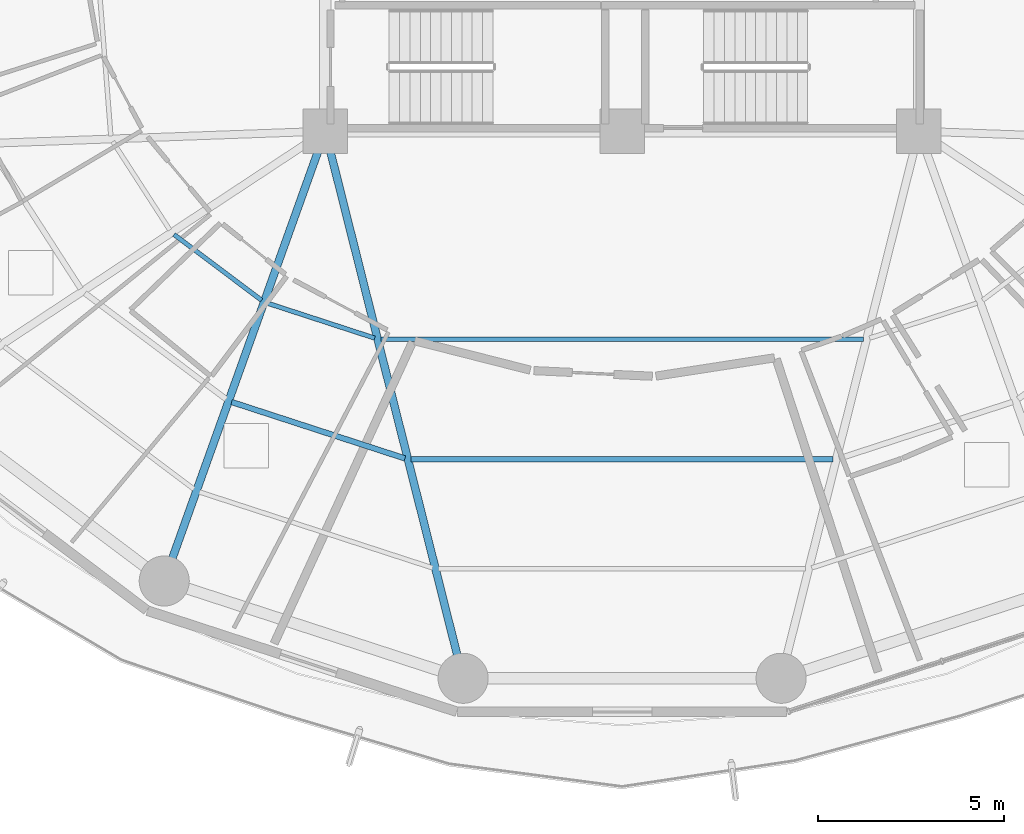
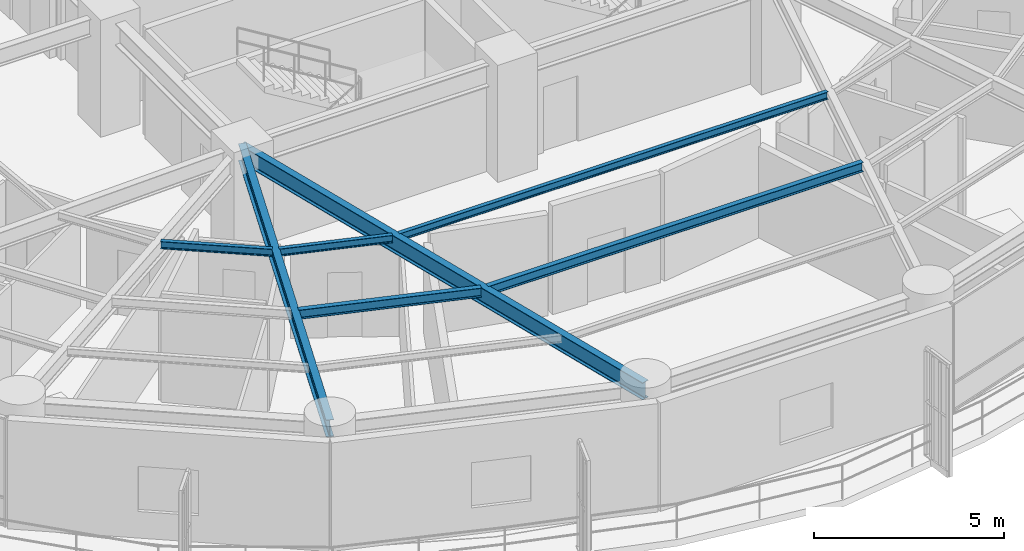
# One storey, part 5 of 37: 7 beams.
"""IFC4 building model written with IfcOpenShell, lengths in metres."""

from ifc_helpers import new_model, si_unit, direction, frame, origin, origin_2d, place, context, subcontext, project, spatial, i_section, extrude, material, material_profile, profile_set, type_object, element, save


model = new_model("IFC4")

# Units and contexts
model_context = context("Model", 3, precision=1e-05, world=origin(), true_north=direction((0.0, 1.0)))
body_context = subcontext(model_context, "Body", "Model", "MODEL_VIEW")
ifc_project = project(units=[si_unit("LENGTHUNIT", "METRE"), si_unit("AREAUNIT", "SQUARE_METRE"), si_unit("VOLUMEUNIT", "CUBIC_METRE"), si_unit("PLANEANGLEUNIT", "RADIAN"), si_unit("MASSUNIT", "GRAM", prefix="KILO")], contexts=[model_context])

# Site, building, storey
site_placement = place(None, origin())
site = spatial("IfcSite", under=ifc_project, at=site_placement, CompositionType="ELEMENT")
building_placement = place(site_placement, origin())
building = spatial("IfcBuilding", under=site, at=building_placement, Name="Kelanora Arch Commons", CompositionType="ELEMENT")
storey_placement = place(building_placement, frame((0.0, 0.0, 110.10009765625)))
storey = spatial("IfcBuildingStorey", under=building, at=storey_placement, Name="L28", CompositionType="ELEMENT", Elevation=110.10009765625)

# Beams
ifc_material = material(Name="Steel S355", Category="steel")
ifc_material_profile_1 = material_profile(ifc_material, i_section(OverallWidth=0.14990234375, OverallDepth=0.300048828125, WebThickness=0.007080078125, FlangeThickness=0.0107421875, FilletRadius=0.014892578125, at=origin_2d()), Name="IPE300")
ifc_profile_set_1 = profile_set([ifc_material_profile_1], Name="Steel S355")
beam_type_1 = type_object("IfcBeamType", Name="BM-JST-01", PredefinedType="JOIST", material=ifc_profile_set_1)
beam_1_placement = place(storey_placement, frame((63.476806640625, 43.70068359375, 3.33984375), z_axis=(0.950857140254, -0.309629938521, 0.0), x_axis=(0.309629938521, 0.950857140254, 0.0)))
element("IfcBeam", 1, at=beam_1_placement, inside=storey, type_object=beam_type_1, Name="Secondary Chord Joist BJB-24 L28", PredefinedType="JOIST", context=body_context, shape_type="SweptSolid", body=[
    extrude(i_section(OverallWidth=0.14990234375, OverallDepth=0.300048828125, WebThickness=0.007080078125, FlangeThickness=0.0107421875, FilletRadius=0.014892578125, at=origin_2d()), origin(), (0.0, 0.0, 1.0), 4.912353515625),
])
beam_2_placement = place(storey_placement, frame((68.313720703125, 42.1533203125, 3.33984375), z_axis=(1.0, 0.0, 0.0), x_axis=(0.0, 1.0, 0.0)))
element("IfcBeam", 2, at=beam_2_placement, inside=storey, type_object=beam_type_1, Name="Secondary Chord Joist BJB-26 L28", PredefinedType="JOIST", context=body_context, shape_type="SweptSolid", body=[
    extrude(i_section(OverallWidth=0.14990234375, OverallDepth=0.300048828125, WebThickness=0.007080078125, FlangeThickness=0.0107421875, FilletRadius=0.014892578125, at=origin_2d()), origin(), (0.0, 0.0, 1.0), 11.37255859375),
])
ifc_material_profile_2 = material_profile(ifc_material, i_section(OverallWidth=0.1201171875, OverallDepth=0.239990234375, WebThickness=0.006103515625, FlangeThickness=0.009765625, FilletRadius=0.014892578125, at=origin_2d()), Name="IPE240")
ifc_profile_set_2 = profile_set([ifc_material_profile_2], Name="Steel S355")
beam_type_2 = type_object("IfcBeamType", Name="BM-JST-02", PredefinedType="JOIST", material=ifc_profile_set_2)
beam_3_placement = place(storey_placement, frame((61.923583984375, 48.2158203125, 3.369873046875), z_axis=(0.799692034361, -0.600410401458, 0.0), x_axis=(0.600410401458, 0.799692034361, 0.0)))
element("IfcBeam", 3, at=beam_3_placement, inside=storey, type_object=beam_type_2, Name="Secondary Chord Joist BJA-22 L28", PredefinedType="JOIST", context=body_context, shape_type="SweptSolid", body=[
    extrude(i_section(OverallWidth=0.1201171875, OverallDepth=0.239990234375, WebThickness=0.006103515625, FlangeThickness=0.009765625, FilletRadius=0.014892578125, at=origin_2d()), origin(), (0.0, 0.0, 1.0), 2.949951171875),
])
beam_4_placement = place(storey_placement, frame((64.431640625, 46.367431640625, 3.369873046875), z_axis=(0.950846758946, -0.309661817151, 0.0), x_axis=(0.309661817151, 0.950846758946, 0.0)))
element("IfcBeam", 4, at=beam_4_placement, inside=storey, type_object=beam_type_2, Name="Secondary Chord Joist BJA-24 L28", PredefinedType="JOIST", context=body_context, shape_type="SweptSolid", body=[
    extrude(i_section(OverallWidth=0.1201171875, OverallDepth=0.239990234375, WebThickness=0.006103515625, FlangeThickness=0.009765625, FilletRadius=0.014892578125, at=origin_2d()), origin(), (0.0, 0.0, 1.0), 3.048828125),
])
beam_5_placement = place(storey_placement, frame((67.49658203125, 45.397216796875, 3.369873046875), z_axis=(1.0, 0.0, 0.0), x_axis=(0.0, 1.0, 0.0)))
element("IfcBeam", 5, at=beam_5_placement, inside=storey, type_object=beam_type_2, Name="Secondary Chord Joist BJA-26 L28", PredefinedType="JOIST", context=body_context, shape_type="SweptSolid", body=[
    extrude(i_section(OverallWidth=0.1201171875, OverallDepth=0.239990234375, WebThickness=0.006103515625, FlangeThickness=0.009765625, FilletRadius=0.014892578125, at=origin_2d()), origin(), (0.0, 0.0, 1.0), 13.0068359375),
])
ifc_material_profile_3 = material_profile(ifc_material, i_section(OverallWidth=0.2099609375, OverallDepth=0.550048828125, WebThickness=0.010986328125, FlangeThickness=0.01708984375, FilletRadius=0.02392578125, at=origin_2d()), Name="IPE550")
ifc_profile_set_3 = profile_set([ifc_material_profile_3], Name="Steel S355")
beam_type_3 = type_object("IfcBeamType", Name="BM-RAD-Z2", PredefinedType="BEAM", material=ifc_profile_set_3)
beam_6_placement = place(storey_placement, frame((66.0, 51.0, 3.21484375), z_axis=(-0.337084640008, -0.941474346687, 0.0), x_axis=(0.941474346687, -0.337084640008, 0.0)))
element("IfcBeam", 6, at=beam_6_placement, inside=storey, type_object=beam_type_3, Name="Radial Floor Girder BR-24 L28", PredefinedType="BEAM", context=body_context, shape_type="SweptSolid", body=[
    extrude(i_section(OverallWidth=0.2099609375, OverallDepth=0.550048828125, WebThickness=0.010986328125, FlangeThickness=0.01708984375, FilletRadius=0.02392578125, at=origin_2d()), origin(), (0.0, 0.0, 1.0), 12.875244140625),
])
beam_7_placement = place(storey_placement, frame((66.0, 51.0, 3.21484375), z_axis=(0.244280647475, -0.969704576286, 0.0), x_axis=(0.969704576286, 0.244280647475, 0.0)))
element("IfcBeam", 7, at=beam_7_placement, inside=storey, type_object=beam_type_3, Name="Radial Floor Girder BR-26 L28", PredefinedType="BEAM", context=body_context, shape_type="SweptSolid", body=[
    extrude(i_section(OverallWidth=0.2099609375, OverallDepth=0.550048828125, WebThickness=0.010986328125, FlangeThickness=0.01708984375, FilletRadius=0.02392578125, at=origin_2d()), origin(), (0.0, 0.0, 1.0), 15.205322265625),
])

save(model, "model.ifc")
